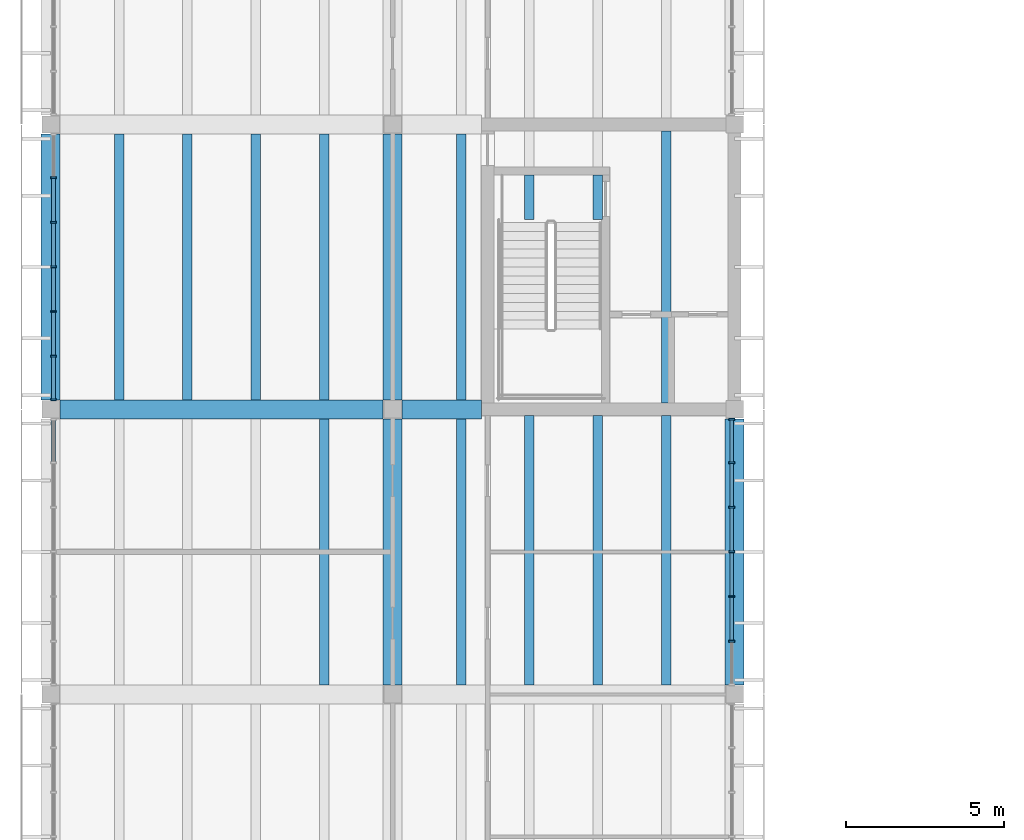
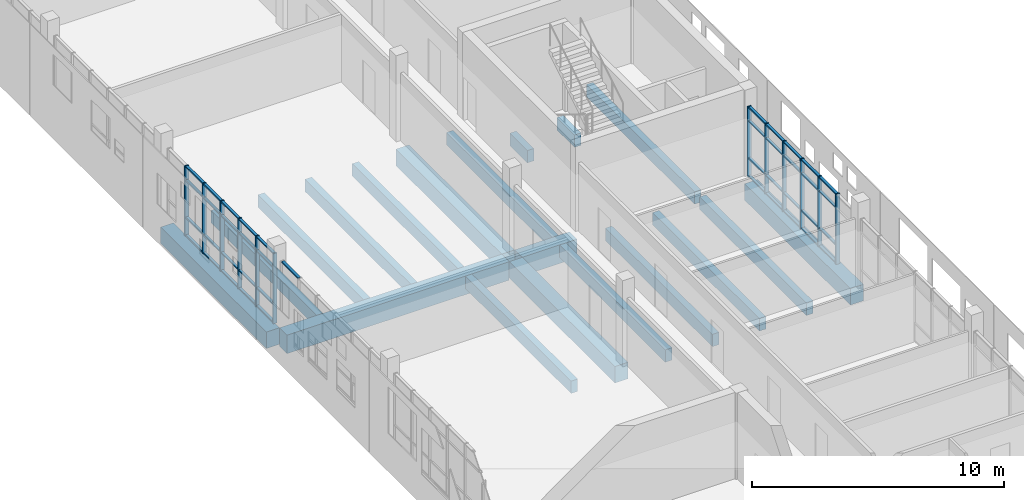
# One storey, part 15 of 74: 53 members, 19 beams, 3 elements without a shape of their own.
"""IFC4 building model written with IfcOpenShell, lengths in metres."""

from ifc_helpers import new_model, si_unit, direction, frame, origin, origin_2d, place, context, subcontext, project, spatial, rectangle, extrude, material, material_profile, profile_set, type_object, element, aggregate, save


model = new_model("IFC4")

# Units and contexts
model_context = context("Model", 3, precision=1e-05, world=origin(), true_north=direction((0.0, 1.0)))
body_context = subcontext(model_context, "Body", "Model", "MODEL_VIEW")
ifc_project = project(units=[si_unit("LENGTHUNIT", "METRE"), si_unit("AREAUNIT", "SQUARE_METRE"), si_unit("VOLUMEUNIT", "CUBIC_METRE"), si_unit("PLANEANGLEUNIT", "RADIAN"), si_unit("MASSUNIT", "GRAM", prefix="KILO")], contexts=[model_context])

# Site, building, storey
site_placement = place(None, origin())
site = spatial("IfcSite", under=ifc_project, at=site_placement, CompositionType="ELEMENT")
building_placement = place(site_placement, origin())
building = spatial("IfcBuilding", under=site, at=building_placement, Name="Merrow Basin Faculty of Sciences", CompositionType="ELEMENT")
storey_placement = place(building_placement, frame((0.0, 0.0, 13.5)))
storey = spatial("IfcBuildingStorey", under=building, at=storey_placement, Name="L03", CompositionType="ELEMENT", Elevation=13.5)

# Curtain wall, members
ifc_material_1 = material(Name="Aluminium alloy 6063", Category="aluminium")
curtain_wall_type = type_object("IfcCurtainWallType", Name="Bar unitised curtain wall 180", PredefinedType="NOTDEFINED", material=ifc_material_1)
curtain_wall_1_placement = place(storey_placement, origin())
curtain_wall_1 = element("IfcCurtainWall", 1, at=curtain_wall_1_placement, inside=storey, type_object=curtain_wall_type, Name="West curtain wall L03 3", PredefinedType="NOTDEFINED")
ifc_material_2 = material(Name="Aluminium alloy 6063", Category="aluminium")
ifc_material_profile_1 = material_profile(ifc_material_2, rectangle(XDim=0.179931640625, YDim=0.06005859375, at=origin_2d()))
ifc_profile_set_1 = profile_set([ifc_material_profile_1], Name="Aluminium alloy 6063")
member_type_1 = type_object("IfcMemberType", Name="Aluminium mullion 60x180", PredefinedType="MULLION", material=ifc_profile_set_1)
member_1_placement = place(storey_placement, frame((0.090087890625, 88.304931640625, 0.0), z_axis=(0.0, 0.0, 1.0), x_axis=(-1.0, 0.0, 0.0)))
member_1 = element("IfcMember", 2, at=member_1_placement, type_object=member_type_1, Name="CW1 mullion 1", PredefinedType="MULLION", context=body_context, shape_type="SweptSolid", body=[
    extrude(rectangle(XDim=0.179931640625, YDim=0.06005859375, at=origin_2d()), origin(), (0.0, 0.0, 1.0), 3.39990234375),
])
member_2_placement = place(storey_placement, frame((0.090087890625, 89.683349609375, 0.0), z_axis=(0.0, 0.0, 1.0), x_axis=(-1.0, 0.0, 0.0)))
member_2 = element("IfcMember", 3, at=member_2_placement, type_object=member_type_1, Name="CW1 mullion 2", PredefinedType="MULLION", context=body_context, shape_type="SweptSolid", body=[
    extrude(rectangle(XDim=0.179931640625, YDim=0.06005859375, at=origin_2d()), origin(), (0.0, 0.0, 1.0), 3.39990234375),
])
member_3_placement = place(storey_placement, frame((0.090087890625, 91.091552734375, 0.0), z_axis=(0.0, 0.0, 1.0), x_axis=(-1.0, 0.0, 0.0)))
member_3 = element("IfcMember", 4, at=member_3_placement, type_object=member_type_1, Name="CW1 mullion 3", PredefinedType="MULLION", context=body_context, shape_type="SweptSolid", body=[
    extrude(rectangle(XDim=0.179931640625, YDim=0.06005859375, at=origin_2d()), origin(), (0.0, 0.0, 1.0), 3.39990234375),
])
member_4_placement = place(storey_placement, frame((0.090087890625, 92.5, 0.0), z_axis=(0.0, 0.0, 1.0), x_axis=(-1.0, 0.0, 0.0)))
member_4 = element("IfcMember", 5, at=member_4_placement, type_object=member_type_1, Name="CW1 mullion 4", PredefinedType="MULLION", context=body_context, shape_type="SweptSolid", body=[
    extrude(rectangle(XDim=0.179931640625, YDim=0.06005859375, at=origin_2d()), origin(), (0.0, 0.0, 1.0), 3.39990234375),
])
member_5_placement = place(storey_placement, frame((0.090087890625, 93.908447265625, 0.0), z_axis=(0.0, 0.0, 1.0), x_axis=(-1.0, 0.0, 0.0)))
member_5 = element("IfcMember", 6, at=member_5_placement, type_object=member_type_1, Name="CW1 mullion 5", PredefinedType="MULLION", context=body_context, shape_type="SweptSolid", body=[
    extrude(rectangle(XDim=0.179931640625, YDim=0.06005859375, at=origin_2d()), origin(), (0.0, 0.0, 1.0), 3.39990234375),
])
member_6_placement = place(storey_placement, frame((0.090087890625, 95.316650390625, 0.0), z_axis=(0.0, 0.0, 1.0), x_axis=(-1.0, 0.0, 0.0)))
member_6 = element("IfcMember", 7, at=member_6_placement, type_object=member_type_1, Name="CW1 mullion 6", PredefinedType="MULLION", context=body_context, shape_type="SweptSolid", body=[
    extrude(rectangle(XDim=0.179931640625, YDim=0.06005859375, at=origin_2d()), origin(), (0.0, 0.0, 1.0), 3.39990234375),
])

curtain_wall_2_placement = place(storey_placement, origin())
curtain_wall_2 = element("IfcCurtainWall", 8, at=curtain_wall_2_placement, inside=storey, type_object=curtain_wall_type, Name="East curtain wall L03 3", PredefinedType="NOTDEFINED")
member_7_placement = place(storey_placement, frame((21.510009765625, 80.683349609375, 0.0), z_axis=(0.0, 0.0, 1.0), x_axis=(-1.0, 0.0, 0.0)))
member_7 = element("IfcMember", 9, at=member_7_placement, type_object=member_type_1, Name="CW1 mullion 2", PredefinedType="MULLION", context=body_context, shape_type="SweptSolid", body=[
    extrude(rectangle(XDim=0.179931640625, YDim=0.06005859375, at=origin_2d()), origin(), (0.0, 0.0, 1.0), 3.39990234375),
])
member_8_placement = place(storey_placement, frame((21.510009765625, 82.091552734375, 0.0), z_axis=(0.0, 0.0, 1.0), x_axis=(-1.0, 0.0, 0.0)))
member_8 = element("IfcMember", 10, at=member_8_placement, type_object=member_type_1, Name="CW1 mullion 3", PredefinedType="MULLION", context=body_context, shape_type="SweptSolid", body=[
    extrude(rectangle(XDim=0.179931640625, YDim=0.06005859375, at=origin_2d()), origin(), (0.0, 0.0, 1.0), 3.39990234375),
])
member_9_placement = place(storey_placement, frame((21.510009765625, 83.5, 0.0), z_axis=(0.0, 0.0, 1.0), x_axis=(-1.0, 0.0, 0.0)))
member_9 = element("IfcMember", 11, at=member_9_placement, type_object=member_type_1, Name="CW1 mullion 4", PredefinedType="MULLION", context=body_context, shape_type="SweptSolid", body=[
    extrude(rectangle(XDim=0.179931640625, YDim=0.06005859375, at=origin_2d()), origin(), (0.0, 0.0, 1.0), 3.39990234375),
])
member_10_placement = place(storey_placement, frame((21.510009765625, 84.908447265625, 0.0), z_axis=(0.0, 0.0, 1.0), x_axis=(-1.0, 0.0, 0.0)))
member_10 = element("IfcMember", 12, at=member_10_placement, type_object=member_type_1, Name="CW1 mullion 5", PredefinedType="MULLION", context=body_context, shape_type="SweptSolid", body=[
    extrude(rectangle(XDim=0.179931640625, YDim=0.06005859375, at=origin_2d()), origin(), (0.0, 0.0, 1.0), 3.39990234375),
])
member_11_placement = place(storey_placement, frame((21.510009765625, 86.316650390625, 0.0), z_axis=(0.0, 0.0, 1.0), x_axis=(-1.0, 0.0, 0.0)))
member_11 = element("IfcMember", 13, at=member_11_placement, type_object=member_type_1, Name="CW1 mullion 6", PredefinedType="MULLION", context=body_context, shape_type="SweptSolid", body=[
    extrude(rectangle(XDim=0.179931640625, YDim=0.06005859375, at=origin_2d()), origin(), (0.0, 0.0, 1.0), 3.39990234375),
])
member_12_placement = place(storey_placement, frame((21.510009765625, 87.695068359375, 0.0), z_axis=(0.0, 0.0, 1.0), x_axis=(-1.0, 0.0, 0.0)))
member_12 = element("IfcMember", 14, at=member_12_placement, type_object=member_type_1, Name="CW1 mullion 7", PredefinedType="MULLION", context=body_context, shape_type="SweptSolid", body=[
    extrude(rectangle(XDim=0.179931640625, YDim=0.06005859375, at=origin_2d()), origin(), (0.0, 0.0, 1.0), 3.39990234375),
])

# Curtain wall, member
curtain_wall_3_placement = place(storey_placement, origin())
curtain_wall_3 = element("IfcCurtainWall", 15, at=curtain_wall_3_placement, inside=storey, type_object=curtain_wall_type, Name="West curtain wall L03 2", PredefinedType="NOTDEFINED")
ifc_material_3 = material(Name="Aluminium alloy 6063", Category="aluminium")
ifc_material_profile_2 = material_profile(ifc_material_3, rectangle(XDim=0.1201171875, YDim=0.06005859375, at=origin_2d()))
ifc_profile_set_2 = profile_set([ifc_material_profile_2], Name="Aluminium alloy 6063")
member_type_2 = type_object("IfcMemberType", Name="Aluminium transom 60x120", PredefinedType="USERDEFINED", material=ifc_profile_set_2)
member_13_placement = place(storey_placement, frame((0.090087890625, 86.3466796875, 3.3701171875), z_axis=(0.0, 1.0, 0.0), x_axis=(-1.0, 0.0, 0.0)))
member_13 = element("IfcMember", 16, at=member_13_placement, type_object=member_type_2, Name="CW1 transom 6.4", ObjectType="TRANSOM", PredefinedType="USERDEFINED", context=body_context, shape_type="SweptSolid", body=[
    extrude(rectangle(XDim=0.1201171875, YDim=0.06005859375, at=origin_2d()), origin(), (0.0, 0.0, 1.0), 1.318359375),
])
aggregate(curtain_wall_3, [member_13])

# Member
member_14_placement = place(storey_placement, frame((0.090087890625, 88.3349609375, 0.030029296875), z_axis=(0.0, 1.0, 0.0), x_axis=(-1.0, 0.0, 0.0)))
member_14 = element("IfcMember", 17, at=member_14_placement, type_object=member_type_2, Name="CW1 transom 1.1", ObjectType="TRANSOM", PredefinedType="USERDEFINED", context=body_context, shape_type="SweptSolid", body=[
    extrude(rectangle(XDim=0.1201171875, YDim=0.06005859375, at=origin_2d()), origin(), (0.0, 0.0, 1.0), 1.318359375),
])

member_15_placement = place(storey_placement, frame((0.090087890625, 88.3349609375, 0.89990234375), z_axis=(0.0, 1.0, 0.0), x_axis=(-1.0, 0.0, 0.0)))
member_15 = element("IfcMember", 18, at=member_15_placement, type_object=member_type_2, Name="CW1 transom 1.2", ObjectType="TRANSOM", PredefinedType="USERDEFINED", context=body_context, shape_type="SweptSolid", body=[
    extrude(rectangle(XDim=0.1201171875, YDim=0.06005859375, at=origin_2d()), origin(), (0.0, 0.0, 1.0), 1.318359375),
])

member_16_placement = place(storey_placement, frame((0.090087890625, 88.3349609375, 2.699951171875), z_axis=(0.0, 1.0, 0.0), x_axis=(-1.0, 0.0, 0.0)))
member_16 = element("IfcMember", 19, at=member_16_placement, type_object=member_type_2, Name="CW1 transom 1.3", ObjectType="TRANSOM", PredefinedType="USERDEFINED", context=body_context, shape_type="SweptSolid", body=[
    extrude(rectangle(XDim=0.1201171875, YDim=0.06005859375, at=origin_2d()), origin(), (0.0, 0.0, 1.0), 1.318359375),
])

member_17_placement = place(storey_placement, frame((0.090087890625, 88.3349609375, 3.3701171875), z_axis=(0.0, 1.0, 0.0), x_axis=(-1.0, 0.0, 0.0)))
member_17 = element("IfcMember", 20, at=member_17_placement, type_object=member_type_2, Name="CW1 transom 1.4", ObjectType="TRANSOM", PredefinedType="USERDEFINED", context=body_context, shape_type="SweptSolid", body=[
    extrude(rectangle(XDim=0.1201171875, YDim=0.06005859375, at=origin_2d()), origin(), (0.0, 0.0, 1.0), 1.318359375),
])

member_18_placement = place(storey_placement, frame((0.090087890625, 89.71337890625, 0.030029296875), z_axis=(0.0, 1.0, 0.0), x_axis=(-1.0, 0.0, 0.0)))
member_18 = element("IfcMember", 21, at=member_18_placement, type_object=member_type_2, Name="CW1 transom 2.1", ObjectType="TRANSOM", PredefinedType="USERDEFINED", context=body_context, shape_type="SweptSolid", body=[
    extrude(rectangle(XDim=0.1201171875, YDim=0.06005859375, at=origin_2d()), origin(), (0.0, 0.0, 1.0), 1.348388671875),
])

member_19_placement = place(storey_placement, frame((0.090087890625, 89.71337890625, 0.89990234375), z_axis=(0.0, 1.0, 0.0), x_axis=(-1.0, 0.0, 0.0)))
member_19 = element("IfcMember", 22, at=member_19_placement, type_object=member_type_2, Name="CW1 transom 2.2", ObjectType="TRANSOM", PredefinedType="USERDEFINED", context=body_context, shape_type="SweptSolid", body=[
    extrude(rectangle(XDim=0.1201171875, YDim=0.06005859375, at=origin_2d()), origin(), (0.0, 0.0, 1.0), 1.348388671875),
])

member_20_placement = place(storey_placement, frame((0.090087890625, 89.71337890625, 2.699951171875), z_axis=(0.0, 1.0, 0.0), x_axis=(-1.0, 0.0, 0.0)))
member_20 = element("IfcMember", 23, at=member_20_placement, type_object=member_type_2, Name="CW1 transom 2.3", ObjectType="TRANSOM", PredefinedType="USERDEFINED", context=body_context, shape_type="SweptSolid", body=[
    extrude(rectangle(XDim=0.1201171875, YDim=0.06005859375, at=origin_2d()), origin(), (0.0, 0.0, 1.0), 1.348388671875),
])

member_21_placement = place(storey_placement, frame((0.090087890625, 89.71337890625, 3.3701171875), z_axis=(0.0, 1.0, 0.0), x_axis=(-1.0, 0.0, 0.0)))
member_21 = element("IfcMember", 24, at=member_21_placement, type_object=member_type_2, Name="CW1 transom 2.4", ObjectType="TRANSOM", PredefinedType="USERDEFINED", context=body_context, shape_type="SweptSolid", body=[
    extrude(rectangle(XDim=0.1201171875, YDim=0.06005859375, at=origin_2d()), origin(), (0.0, 0.0, 1.0), 1.348388671875),
])

member_22_placement = place(storey_placement, frame((0.090087890625, 91.12158203125, 0.030029296875), z_axis=(0.0, 1.0, 0.0), x_axis=(-1.0, 0.0, 0.0)))
member_22 = element("IfcMember", 25, at=member_22_placement, type_object=member_type_2, Name="CW1 transom 3.1", ObjectType="TRANSOM", PredefinedType="USERDEFINED", context=body_context, shape_type="SweptSolid", body=[
    extrude(rectangle(XDim=0.1201171875, YDim=0.06005859375, at=origin_2d()), origin(), (0.0, 0.0, 1.0), 1.348388671875),
])

member_23_placement = place(storey_placement, frame((0.090087890625, 91.12158203125, 0.89990234375), z_axis=(0.0, 1.0, 0.0), x_axis=(-1.0, 0.0, 0.0)))
member_23 = element("IfcMember", 26, at=member_23_placement, type_object=member_type_2, Name="CW1 transom 3.2", ObjectType="TRANSOM", PredefinedType="USERDEFINED", context=body_context, shape_type="SweptSolid", body=[
    extrude(rectangle(XDim=0.1201171875, YDim=0.06005859375, at=origin_2d()), origin(), (0.0, 0.0, 1.0), 1.348388671875),
])

member_24_placement = place(storey_placement, frame((0.090087890625, 91.12158203125, 2.699951171875), z_axis=(0.0, 1.0, 0.0), x_axis=(-1.0, 0.0, 0.0)))
member_24 = element("IfcMember", 27, at=member_24_placement, type_object=member_type_2, Name="CW1 transom 3.3", ObjectType="TRANSOM", PredefinedType="USERDEFINED", context=body_context, shape_type="SweptSolid", body=[
    extrude(rectangle(XDim=0.1201171875, YDim=0.06005859375, at=origin_2d()), origin(), (0.0, 0.0, 1.0), 1.348388671875),
])

member_25_placement = place(storey_placement, frame((0.090087890625, 91.12158203125, 3.3701171875), z_axis=(0.0, 1.0, 0.0), x_axis=(-1.0, 0.0, 0.0)))
member_25 = element("IfcMember", 28, at=member_25_placement, type_object=member_type_2, Name="CW1 transom 3.4", ObjectType="TRANSOM", PredefinedType="USERDEFINED", context=body_context, shape_type="SweptSolid", body=[
    extrude(rectangle(XDim=0.1201171875, YDim=0.06005859375, at=origin_2d()), origin(), (0.0, 0.0, 1.0), 1.348388671875),
])

member_26_placement = place(storey_placement, frame((0.090087890625, 92.530029296875, 0.030029296875), z_axis=(0.0, 1.0, 0.0), x_axis=(-1.0, 0.0, 0.0)))
member_26 = element("IfcMember", 29, at=member_26_placement, type_object=member_type_2, Name="CW1 transom 4.1", ObjectType="TRANSOM", PredefinedType="USERDEFINED", context=body_context, shape_type="SweptSolid", body=[
    extrude(rectangle(XDim=0.1201171875, YDim=0.06005859375, at=origin_2d()), origin(), (0.0, 0.0, 1.0), 1.348388671875),
])

member_27_placement = place(storey_placement, frame((0.090087890625, 92.530029296875, 0.89990234375), z_axis=(0.0, 1.0, 0.0), x_axis=(-1.0, 0.0, 0.0)))
member_27 = element("IfcMember", 30, at=member_27_placement, type_object=member_type_2, Name="CW1 transom 4.2", ObjectType="TRANSOM", PredefinedType="USERDEFINED", context=body_context, shape_type="SweptSolid", body=[
    extrude(rectangle(XDim=0.1201171875, YDim=0.06005859375, at=origin_2d()), origin(), (0.0, 0.0, 1.0), 1.348388671875),
])

member_28_placement = place(storey_placement, frame((0.090087890625, 92.530029296875, 2.699951171875), z_axis=(0.0, 1.0, 0.0), x_axis=(-1.0, 0.0, 0.0)))
member_28 = element("IfcMember", 31, at=member_28_placement, type_object=member_type_2, Name="CW1 transom 4.3", ObjectType="TRANSOM", PredefinedType="USERDEFINED", context=body_context, shape_type="SweptSolid", body=[
    extrude(rectangle(XDim=0.1201171875, YDim=0.06005859375, at=origin_2d()), origin(), (0.0, 0.0, 1.0), 1.348388671875),
])

member_29_placement = place(storey_placement, frame((0.090087890625, 92.530029296875, 3.3701171875), z_axis=(0.0, 1.0, 0.0), x_axis=(-1.0, 0.0, 0.0)))
member_29 = element("IfcMember", 32, at=member_29_placement, type_object=member_type_2, Name="CW1 transom 4.4", ObjectType="TRANSOM", PredefinedType="USERDEFINED", context=body_context, shape_type="SweptSolid", body=[
    extrude(rectangle(XDim=0.1201171875, YDim=0.06005859375, at=origin_2d()), origin(), (0.0, 0.0, 1.0), 1.348388671875),
])

member_30_placement = place(storey_placement, frame((0.090087890625, 93.938232421875, 0.030029296875), z_axis=(0.0, 1.0, 0.0), x_axis=(-1.0, 0.0, 0.0)))
member_30 = element("IfcMember", 33, at=member_30_placement, type_object=member_type_2, Name="CW1 transom 5.1", ObjectType="TRANSOM", PredefinedType="USERDEFINED", context=body_context, shape_type="SweptSolid", body=[
    extrude(rectangle(XDim=0.1201171875, YDim=0.06005859375, at=origin_2d()), origin(), (0.0, 0.0, 1.0), 1.348388671875),
])

member_31_placement = place(storey_placement, frame((0.090087890625, 93.938232421875, 0.89990234375), z_axis=(0.0, 1.0, 0.0), x_axis=(-1.0, 0.0, 0.0)))
member_31 = element("IfcMember", 34, at=member_31_placement, type_object=member_type_2, Name="CW1 transom 5.2", ObjectType="TRANSOM", PredefinedType="USERDEFINED", context=body_context, shape_type="SweptSolid", body=[
    extrude(rectangle(XDim=0.1201171875, YDim=0.06005859375, at=origin_2d()), origin(), (0.0, 0.0, 1.0), 1.348388671875),
])

member_32_placement = place(storey_placement, frame((0.090087890625, 93.938232421875, 2.699951171875), z_axis=(0.0, 1.0, 0.0), x_axis=(-1.0, 0.0, 0.0)))
member_32 = element("IfcMember", 35, at=member_32_placement, type_object=member_type_2, Name="CW1 transom 5.3", ObjectType="TRANSOM", PredefinedType="USERDEFINED", context=body_context, shape_type="SweptSolid", body=[
    extrude(rectangle(XDim=0.1201171875, YDim=0.06005859375, at=origin_2d()), origin(), (0.0, 0.0, 1.0), 1.348388671875),
])

member_33_placement = place(storey_placement, frame((0.090087890625, 93.938232421875, 3.3701171875), z_axis=(0.0, 1.0, 0.0), x_axis=(-1.0, 0.0, 0.0)))
member_33 = element("IfcMember", 36, at=member_33_placement, type_object=member_type_2, Name="CW1 transom 5.4", ObjectType="TRANSOM", PredefinedType="USERDEFINED", context=body_context, shape_type="SweptSolid", body=[
    extrude(rectangle(XDim=0.1201171875, YDim=0.06005859375, at=origin_2d()), origin(), (0.0, 0.0, 1.0), 1.348388671875),
])

aggregate(curtain_wall_1, [member_1, member_2, member_3, member_4, member_5, member_6, member_14, member_15, member_16, member_17, member_18, member_19, member_20, member_21, member_22, member_23, member_24, member_25, member_26, member_27, member_28, member_29, member_30, member_31, member_32, member_33])

member_34_placement = place(storey_placement, frame((21.510009765625, 80.71337890625, 0.030029296875), z_axis=(0.0, 1.0, 0.0), x_axis=(-1.0, 0.0, 0.0)))
member_34 = element("IfcMember", 37, at=member_34_placement, type_object=member_type_2, Name="CW1 transom 2.1", ObjectType="TRANSOM", PredefinedType="USERDEFINED", context=body_context, shape_type="SweptSolid", body=[
    extrude(rectangle(XDim=0.1201171875, YDim=0.06005859375, at=origin_2d()), origin(), (0.0, 0.0, 1.0), 1.348388671875),
])

member_35_placement = place(storey_placement, frame((21.510009765625, 80.71337890625, 0.89990234375), z_axis=(0.0, 1.0, 0.0), x_axis=(-1.0, 0.0, 0.0)))
member_35 = element("IfcMember", 38, at=member_35_placement, type_object=member_type_2, Name="CW1 transom 2.2", ObjectType="TRANSOM", PredefinedType="USERDEFINED", context=body_context, shape_type="SweptSolid", body=[
    extrude(rectangle(XDim=0.1201171875, YDim=0.06005859375, at=origin_2d()), origin(), (0.0, 0.0, 1.0), 1.348388671875),
])

member_36_placement = place(storey_placement, frame((21.510009765625, 80.71337890625, 2.699951171875), z_axis=(0.0, 1.0, 0.0), x_axis=(-1.0, 0.0, 0.0)))
member_36 = element("IfcMember", 39, at=member_36_placement, type_object=member_type_2, Name="CW1 transom 2.3", ObjectType="TRANSOM", PredefinedType="USERDEFINED", context=body_context, shape_type="SweptSolid", body=[
    extrude(rectangle(XDim=0.1201171875, YDim=0.06005859375, at=origin_2d()), origin(), (0.0, 0.0, 1.0), 1.348388671875),
])

member_37_placement = place(storey_placement, frame((21.510009765625, 80.71337890625, 3.3701171875), z_axis=(0.0, 1.0, 0.0), x_axis=(-1.0, 0.0, 0.0)))
member_37 = element("IfcMember", 40, at=member_37_placement, type_object=member_type_2, Name="CW1 transom 2.4", ObjectType="TRANSOM", PredefinedType="USERDEFINED", context=body_context, shape_type="SweptSolid", body=[
    extrude(rectangle(XDim=0.1201171875, YDim=0.06005859375, at=origin_2d()), origin(), (0.0, 0.0, 1.0), 1.348388671875),
])

member_38_placement = place(storey_placement, frame((21.510009765625, 82.12158203125, 0.030029296875), z_axis=(0.0, 1.0, 0.0), x_axis=(-1.0, 0.0, 0.0)))
member_38 = element("IfcMember", 41, at=member_38_placement, type_object=member_type_2, Name="CW1 transom 3.1", ObjectType="TRANSOM", PredefinedType="USERDEFINED", context=body_context, shape_type="SweptSolid", body=[
    extrude(rectangle(XDim=0.1201171875, YDim=0.06005859375, at=origin_2d()), origin(), (0.0, 0.0, 1.0), 1.348388671875),
])

member_39_placement = place(storey_placement, frame((21.510009765625, 82.12158203125, 0.89990234375), z_axis=(0.0, 1.0, 0.0), x_axis=(-1.0, 0.0, 0.0)))
member_39 = element("IfcMember", 42, at=member_39_placement, type_object=member_type_2, Name="CW1 transom 3.2", ObjectType="TRANSOM", PredefinedType="USERDEFINED", context=body_context, shape_type="SweptSolid", body=[
    extrude(rectangle(XDim=0.1201171875, YDim=0.06005859375, at=origin_2d()), origin(), (0.0, 0.0, 1.0), 1.348388671875),
])

member_40_placement = place(storey_placement, frame((21.510009765625, 82.12158203125, 2.699951171875), z_axis=(0.0, 1.0, 0.0), x_axis=(-1.0, 0.0, 0.0)))
member_40 = element("IfcMember", 43, at=member_40_placement, type_object=member_type_2, Name="CW1 transom 3.3", ObjectType="TRANSOM", PredefinedType="USERDEFINED", context=body_context, shape_type="SweptSolid", body=[
    extrude(rectangle(XDim=0.1201171875, YDim=0.06005859375, at=origin_2d()), origin(), (0.0, 0.0, 1.0), 1.348388671875),
])

member_41_placement = place(storey_placement, frame((21.510009765625, 82.12158203125, 3.3701171875), z_axis=(0.0, 1.0, 0.0), x_axis=(-1.0, 0.0, 0.0)))
member_41 = element("IfcMember", 44, at=member_41_placement, type_object=member_type_2, Name="CW1 transom 3.4", ObjectType="TRANSOM", PredefinedType="USERDEFINED", context=body_context, shape_type="SweptSolid", body=[
    extrude(rectangle(XDim=0.1201171875, YDim=0.06005859375, at=origin_2d()), origin(), (0.0, 0.0, 1.0), 1.348388671875),
])

member_42_placement = place(storey_placement, frame((21.510009765625, 83.530029296875, 0.030029296875), z_axis=(0.0, 1.0, 0.0), x_axis=(-1.0, 0.0, 0.0)))
member_42 = element("IfcMember", 45, at=member_42_placement, type_object=member_type_2, Name="CW1 transom 4.1", ObjectType="TRANSOM", PredefinedType="USERDEFINED", context=body_context, shape_type="SweptSolid", body=[
    extrude(rectangle(XDim=0.1201171875, YDim=0.06005859375, at=origin_2d()), origin(), (0.0, 0.0, 1.0), 1.348388671875),
])

member_43_placement = place(storey_placement, frame((21.510009765625, 83.530029296875, 0.89990234375), z_axis=(0.0, 1.0, 0.0), x_axis=(-1.0, 0.0, 0.0)))
member_43 = element("IfcMember", 46, at=member_43_placement, type_object=member_type_2, Name="CW1 transom 4.2", ObjectType="TRANSOM", PredefinedType="USERDEFINED", context=body_context, shape_type="SweptSolid", body=[
    extrude(rectangle(XDim=0.1201171875, YDim=0.06005859375, at=origin_2d()), origin(), (0.0, 0.0, 1.0), 1.348388671875),
])

member_44_placement = place(storey_placement, frame((21.510009765625, 83.530029296875, 2.699951171875), z_axis=(0.0, 1.0, 0.0), x_axis=(-1.0, 0.0, 0.0)))
member_44 = element("IfcMember", 47, at=member_44_placement, type_object=member_type_2, Name="CW1 transom 4.3", ObjectType="TRANSOM", PredefinedType="USERDEFINED", context=body_context, shape_type="SweptSolid", body=[
    extrude(rectangle(XDim=0.1201171875, YDim=0.06005859375, at=origin_2d()), origin(), (0.0, 0.0, 1.0), 1.348388671875),
])

member_45_placement = place(storey_placement, frame((21.510009765625, 83.530029296875, 3.3701171875), z_axis=(0.0, 1.0, 0.0), x_axis=(-1.0, 0.0, 0.0)))
member_45 = element("IfcMember", 48, at=member_45_placement, type_object=member_type_2, Name="CW1 transom 4.4", ObjectType="TRANSOM", PredefinedType="USERDEFINED", context=body_context, shape_type="SweptSolid", body=[
    extrude(rectangle(XDim=0.1201171875, YDim=0.06005859375, at=origin_2d()), origin(), (0.0, 0.0, 1.0), 1.348388671875),
])

member_46_placement = place(storey_placement, frame((21.510009765625, 84.938232421875, 0.030029296875), z_axis=(0.0, 1.0, 0.0), x_axis=(-1.0, 0.0, 0.0)))
member_46 = element("IfcMember", 49, at=member_46_placement, type_object=member_type_2, Name="CW1 transom 5.1", ObjectType="TRANSOM", PredefinedType="USERDEFINED", context=body_context, shape_type="SweptSolid", body=[
    extrude(rectangle(XDim=0.1201171875, YDim=0.06005859375, at=origin_2d()), origin(), (0.0, 0.0, 1.0), 1.348388671875),
])

member_47_placement = place(storey_placement, frame((21.510009765625, 84.938232421875, 0.89990234375), z_axis=(0.0, 1.0, 0.0), x_axis=(-1.0, 0.0, 0.0)))
member_47 = element("IfcMember", 50, at=member_47_placement, type_object=member_type_2, Name="CW1 transom 5.2", ObjectType="TRANSOM", PredefinedType="USERDEFINED", context=body_context, shape_type="SweptSolid", body=[
    extrude(rectangle(XDim=0.1201171875, YDim=0.06005859375, at=origin_2d()), origin(), (0.0, 0.0, 1.0), 1.348388671875),
])

member_48_placement = place(storey_placement, frame((21.510009765625, 84.938232421875, 2.699951171875), z_axis=(0.0, 1.0, 0.0), x_axis=(-1.0, 0.0, 0.0)))
member_48 = element("IfcMember", 51, at=member_48_placement, type_object=member_type_2, Name="CW1 transom 5.3", ObjectType="TRANSOM", PredefinedType="USERDEFINED", context=body_context, shape_type="SweptSolid", body=[
    extrude(rectangle(XDim=0.1201171875, YDim=0.06005859375, at=origin_2d()), origin(), (0.0, 0.0, 1.0), 1.348388671875),
])

member_49_placement = place(storey_placement, frame((21.510009765625, 84.938232421875, 3.3701171875), z_axis=(0.0, 1.0, 0.0), x_axis=(-1.0, 0.0, 0.0)))
member_49 = element("IfcMember", 52, at=member_49_placement, type_object=member_type_2, Name="CW1 transom 5.4", ObjectType="TRANSOM", PredefinedType="USERDEFINED", context=body_context, shape_type="SweptSolid", body=[
    extrude(rectangle(XDim=0.1201171875, YDim=0.06005859375, at=origin_2d()), origin(), (0.0, 0.0, 1.0), 1.348388671875),
])

member_50_placement = place(storey_placement, frame((21.510009765625, 86.3466796875, 0.030029296875), z_axis=(0.0, 1.0, 0.0), x_axis=(-1.0, 0.0, 0.0)))
member_50 = element("IfcMember", 53, at=member_50_placement, type_object=member_type_2, Name="CW1 transom 6.1", ObjectType="TRANSOM", PredefinedType="USERDEFINED", context=body_context, shape_type="SweptSolid", body=[
    extrude(rectangle(XDim=0.1201171875, YDim=0.06005859375, at=origin_2d()), origin(), (0.0, 0.0, 1.0), 1.318359375),
])

member_51_placement = place(storey_placement, frame((21.510009765625, 86.3466796875, 0.89990234375), z_axis=(0.0, 1.0, 0.0), x_axis=(-1.0, 0.0, 0.0)))
member_51 = element("IfcMember", 54, at=member_51_placement, type_object=member_type_2, Name="CW1 transom 6.2", ObjectType="TRANSOM", PredefinedType="USERDEFINED", context=body_context, shape_type="SweptSolid", body=[
    extrude(rectangle(XDim=0.1201171875, YDim=0.06005859375, at=origin_2d()), origin(), (0.0, 0.0, 1.0), 1.318359375),
])

member_52_placement = place(storey_placement, frame((21.510009765625, 86.3466796875, 2.699951171875), z_axis=(0.0, 1.0, 0.0), x_axis=(-1.0, 0.0, 0.0)))
member_52 = element("IfcMember", 55, at=member_52_placement, type_object=member_type_2, Name="CW1 transom 6.3", ObjectType="TRANSOM", PredefinedType="USERDEFINED", context=body_context, shape_type="SweptSolid", body=[
    extrude(rectangle(XDim=0.1201171875, YDim=0.06005859375, at=origin_2d()), origin(), (0.0, 0.0, 1.0), 1.318359375),
])

member_53_placement = place(storey_placement, frame((21.510009765625, 86.3466796875, 3.3701171875), z_axis=(0.0, 1.0, 0.0), x_axis=(-1.0, 0.0, 0.0)))
member_53 = element("IfcMember", 56, at=member_53_placement, type_object=member_type_2, Name="CW1 transom 6.4", ObjectType="TRANSOM", PredefinedType="USERDEFINED", context=body_context, shape_type="SweptSolid", body=[
    extrude(rectangle(XDim=0.1201171875, YDim=0.06005859375, at=origin_2d()), origin(), (0.0, 0.0, 1.0), 1.318359375),
])

aggregate(curtain_wall_2, [member_7, member_8, member_9, member_10, member_11, member_12, member_34, member_35, member_36, member_37, member_38, member_39, member_40, member_41, member_42, member_43, member_44, member_45, member_46, member_47, member_48, member_49, member_50, member_51, member_52, member_53])

# Beams
ifc_material_4 = material(Name="Concrete C40/50", Category="concrete")
ifc_material_profile_3 = material_profile(ifc_material_4, rectangle(XDim=0.60009765625, YDim=0.800048828125, at=origin_2d()))
ifc_profile_set_3 = profile_set([ifc_material_profile_3], Name="Concrete C40/50")
beam_type_1 = type_object("IfcBeamType", Name="Beam RC600x800 C40/50", PredefinedType="BEAM", material=ifc_profile_set_3)
for number, where, z_axis, x_axis, name in (
    (57, (0.0, 88.300048828125, -0.699951171875), (0.0, 1.0, 0.0), (-1.0, 0.0, 0.0), "B2 L03 017"),
    (58, (10.800048828125, 79.300048828125, -0.699951171875), (0.0, 1.0, 0.0), (-1.0, 0.0, 0.0), "B2 L03 023"),
    (59, (10.800048828125, 88.300048828125, -0.699951171875), (0.0, 1.0, 0.0), (-1.0, 0.0, 0.0), "B2 L03 024"),
    (60, (21.60009765625, 79.300048828125, -0.699951171875), (0.0, 1.0, 0.0), (-1.0, 0.0, 0.0), "B2 L03 030"),
):
    element("IfcBeam", number, at=place(storey_placement, frame(where, z_axis=z_axis, x_axis=x_axis)), inside=storey, type_object=beam_type_1, Name=name, PredefinedType="BEAM", context=body_context, shape_type="SweptSolid", body=[
        extrude(rectangle(XDim=0.60009765625, YDim=0.800048828125, at=origin_2d()), origin(), (0.0, 0.0, 1.0), 8.39990234375),
    ])
ifc_material_5 = material(Name="Concrete C40/50", Category="concrete")
ifc_material_profile_4 = material_profile(ifc_material_5, rectangle(XDim=0.60009765625, YDim=0.89990234375, at=origin_2d()))
ifc_profile_set_4 = profile_set([ifc_material_profile_4], Name="Concrete C40/50")
beam_type_2 = type_object("IfcBeamType", Name="Beam RC600x900 C40/50", PredefinedType="BEAM", material=ifc_profile_set_4)
beam_1_placement = place(storey_placement, frame((0.300048828125, 88.0, -0.75), z_axis=(1.0, 0.0, 0.0), x_axis=(0.0, 1.0, 0.0)))
element("IfcBeam", 61, at=beam_1_placement, inside=storey, type_object=beam_type_2, Name="B1 L03 005", PredefinedType="BEAM", context=body_context, shape_type="SweptSolid", body=[
    extrude(rectangle(XDim=0.60009765625, YDim=0.89990234375, at=origin_2d()), origin(), (0.0, 0.0, 1.0), 10.199951171875),
])
beam_2_placement = place(storey_placement, frame((11.10009765625, 88.0, -0.75), z_axis=(1.0, 0.0, 0.0), x_axis=(0.0, 1.0, 0.0)))
element("IfcBeam", 62, at=beam_2_placement, inside=storey, type_object=beam_type_2, Name="B1 L03 006", PredefinedType="BEAM", context=body_context, shape_type="SweptSolid", body=[
    extrude(rectangle(XDim=0.60009765625, YDim=0.89990234375, at=origin_2d()), origin(), (0.0, 0.0, 1.0), 2.5),
])
ifc_material_6 = material(Name="Concrete C40/50", Category="concrete")
ifc_material_profile_5 = material_profile(ifc_material_6, rectangle(XDim=0.300048828125, YDim=0.60009765625, at=origin_2d()))
ifc_profile_set_5 = profile_set([ifc_material_profile_5], Name="Concrete C40/50")
beam_type_3 = type_object("IfcBeamType", Name="Laboratory floor joist RC300x600 C40/50", PredefinedType="BEAM", material=ifc_profile_set_5)
for number, where, z_axis, x_axis, name in (
    (63, (8.639892578125, 79.300048828125, -0.60009765625), (0.0, 1.0, 0.0), (-1.0, 0.0, 0.0), "JL1 L03 046"),
    (64, (2.159912109375, 88.300048828125, -0.60009765625), (0.0, 1.0, 0.0), (-1.0, 0.0, 0.0), "JL1 L03 047"),
    (65, (4.320068359375, 88.300048828125, -0.60009765625), (0.0, 1.0, 0.0), (-1.0, 0.0, 0.0), "JL1 L03 048"),
    (66, (6.47998046875, 88.300048828125, -0.60009765625), (0.0, 1.0, 0.0), (-1.0, 0.0, 0.0), "JL1 L03 049"),
    (67, (8.639892578125, 88.300048828125, -0.60009765625), (0.0, 1.0, 0.0), (-1.0, 0.0, 0.0), "JL1 L03 050"),
    (68, (12.9599609375, 79.300048828125, -0.60009765625), (0.0, 1.0, 0.0), (-1.0, 0.0, 0.0), "JL1 L03 075"),
):
    element("IfcBeam", number, at=place(storey_placement, frame(where, z_axis=z_axis, x_axis=x_axis)), inside=storey, type_object=beam_type_3, Name=name, PredefinedType="BEAM", context=body_context, shape_type="SweptSolid", body=[
        extrude(rectangle(XDim=0.300048828125, YDim=0.60009765625, at=origin_2d()), origin(), (0.0, 0.0, 1.0), 8.39990234375),
    ])
for number, where, z_axis, x_axis, name in (
    (69, (15.1201171875, 79.300048828125, -0.60009765625), (0.0, 1.0, 0.0), (-1.0, 0.0, 0.0), "JL1 L03 076"),
    (70, (17.280029296875, 79.300048828125, -0.60009765625), (0.0, 1.0, 0.0), (-1.0, 0.0, 0.0), "JL1 L03 077"),
    (71, (19.43994140625, 79.300048828125, -0.60009765625), (0.0, 1.0, 0.0), (-1.0, 0.0, 0.0), "JL1 L03 078"),
):
    element("IfcBeam", number, at=place(storey_placement, frame(where, z_axis=z_axis, x_axis=x_axis)), inside=storey, type_object=beam_type_3, Name=name, PredefinedType="BEAM", context=body_context, shape_type="SweptSolid", body=[
        extrude(rectangle(XDim=0.300048828125, YDim=0.60009765625, at=origin_2d()), origin(), (0.0, 0.0, 1.0), 8.5),
    ])
beam_3_placement = place(storey_placement, frame((12.9599609375, 88.300048828125, -0.60009765625), z_axis=(0.0, 1.0, 0.0), x_axis=(-1.0, 0.0, 0.0)))
element("IfcBeam", 72, at=beam_3_placement, inside=storey, type_object=beam_type_3, Name="JL1 L03 079", PredefinedType="BEAM", context=body_context, shape_type="SweptSolid", body=[
    extrude(rectangle(XDim=0.300048828125, YDim=0.60009765625, at=origin_2d()), origin(), (0.0, 0.0, 1.0), 8.39990234375),
])
for number, where, z_axis, x_axis, name in (
    (73, (15.1201171875, 94.0, -0.60009765625), (0.0, 1.0, 0.0), (-1.0, 0.0, 0.0), "JL1 L03 080"),
    (74, (17.280029296875, 94.0, -0.60009765625), (0.0, 1.0, 0.0), (-1.0, 0.0, 0.0), "JL1 L03 082"),
):
    element("IfcBeam", number, at=place(storey_placement, frame(where, z_axis=z_axis, x_axis=x_axis)), inside=storey, type_object=beam_type_3, Name=name, PredefinedType="BEAM", context=body_context, shape_type="SweptSolid", body=[
        extrude(rectangle(XDim=0.300048828125, YDim=0.60009765625, at=origin_2d()), origin(), (0.0, 0.0, 1.0), 1.39990234375),
    ])
beam_4_placement = place(storey_placement, frame((19.43994140625, 88.199951171875, -0.60009765625), z_axis=(0.0, 1.0, 0.0), x_axis=(-1.0, 0.0, 0.0)))
element("IfcBeam", 75, at=beam_4_placement, inside=storey, type_object=beam_type_3, Name="JL1 L03 084", PredefinedType="BEAM", context=body_context, shape_type="SweptSolid", body=[
    extrude(rectangle(XDim=0.300048828125, YDim=0.60009765625, at=origin_2d()), origin(), (0.0, 0.0, 1.0), 8.60009765625),
])

save(model, "model.ifc")
